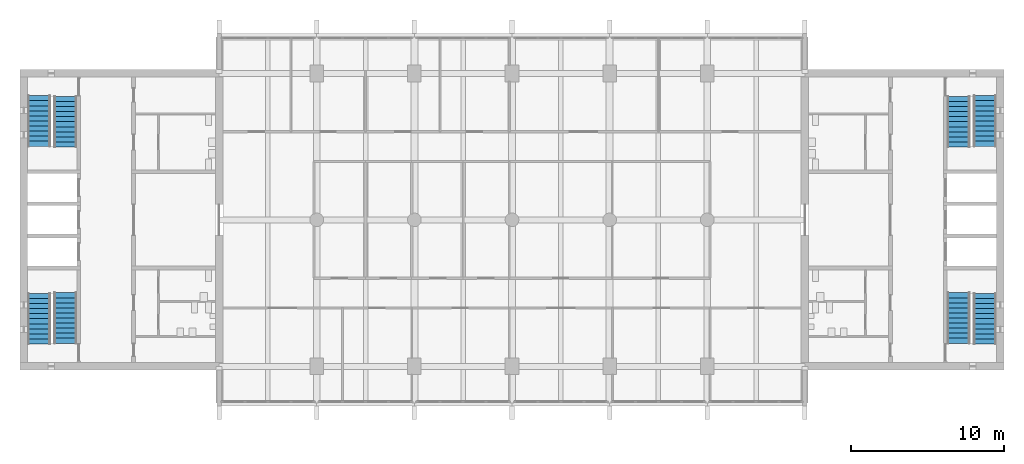
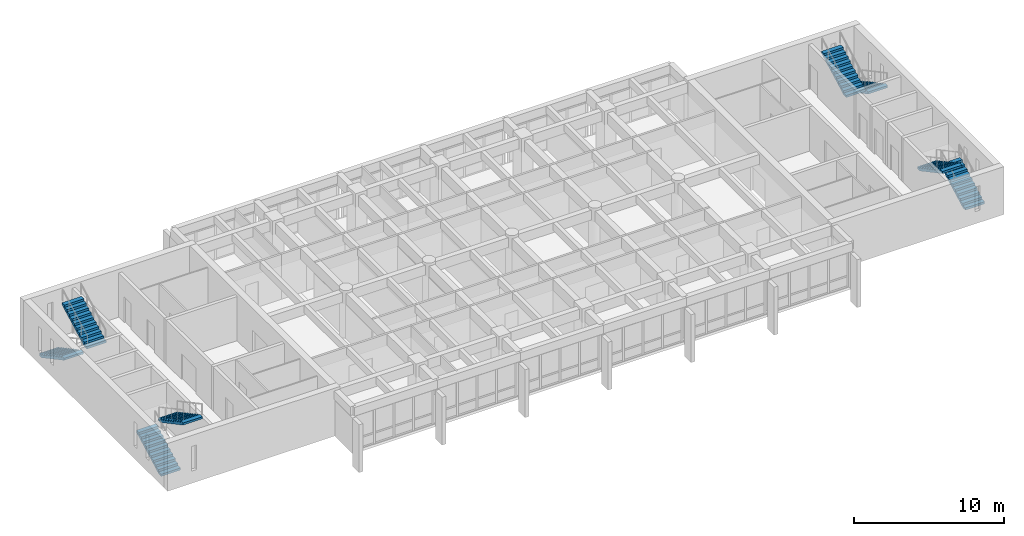
# One storey, part 13 of 15: 8 stair flights, 4 elements without a shape of their own.
"""IFC4 building model written with IfcOpenShell, lengths in metres."""

import ifcopenshell
import ifcopenshell.guid

model = None  # the IFC model being written
_history = None  # IfcOwnerHistory: only IFC2X3 demands one
_inside = {}  # id of a spatial element -> (the spatial element, [elements in it])
_under = {}  # id of a project, library or spatial element -> (it, [spatial elements below it])
_declared = {}  # id of a project -> (the project, [libraries it declares])
_typed = {}  # id of a type object -> (the type object, [elements of that type])
_made_of = {}  # id of a material, layer set ... -> (it, [elements and type objects made of it])


def new_model(schema):
    """Start an empty IFC model of exactly this schema.

    Asked for "IFC4X3", IfcOpenShell would pick the latest addendum, in which some entities
    have other attributes; the version numbers below select the first issue.
    IFC2X3 requires an IfcOwnerHistory on every rooted entity: one is made here for all.
    """
    global model, _history
    if schema == "IFC4X3":
        model = ifcopenshell.file(schema_version=(4, 3, 0, 0))
    else:
        model = ifcopenshell.file(schema=schema)
    _inside.clear()
    _under.clear()
    _declared.clear()
    _typed.clear()
    _made_of.clear()
    _history = None
    if model.schema == "IFC2X3":
        org = make("IfcOrganization", Name="unknown")
        user = make(
            "IfcPersonAndOrganization",
            ThePerson=make("IfcPerson", FamilyName="unknown"),
            TheOrganization=org,
        )
        app = make(
            "IfcApplication",
            ApplicationDeveloper=org,
            Version="unknown",
            ApplicationFullName="unknown",
            ApplicationIdentifier="unknown",
        )
        _history = make(
            "IfcOwnerHistory",
            OwningUser=user,
            OwningApplication=app,
            ChangeAction="ADDED",
            CreationDate=0,
        )
    return model


def make(cls, **values):
    """One entity of the class cls with the attributes given. An attribute that is None is left unset."""
    return model.create_entity(
        cls, **{name: value for name, value in values.items() if value is not None}
    )


def rooted(cls, **values):
    """An entity with a GlobalId (a new one), such as an element, a storey or a relation."""
    return make(cls, GlobalId=ifcopenshell.guid.new(), OwnerHistory=_history, **values)


def si_unit(unit_type, name, prefix=None):
    """IfcSIUnit, for example si_unit("LENGTHUNIT", "METRE", prefix="MILLI")."""
    return make("IfcSIUnit", UnitType=unit_type, Prefix=prefix, Name=name)


def assignment(units):
    """IfcUnitAssignment: the units of a project."""
    return None if units is None else make("IfcUnitAssignment", Units=units)


def point(xyz):
    """IfcCartesianPoint."""
    return None if xyz is None else make("IfcCartesianPoint", Coordinates=xyz)


def direction(xyz):
    """IfcDirection."""
    return None if xyz is None else make("IfcDirection", DirectionRatios=xyz)


def frame(location, z_axis=None, x_axis=None):
    """IfcAxis2Placement3D, a coordinate frame: its origin and axes. An axis left out is left unset."""
    return make(
        "IfcAxis2Placement3D",
        Location=point(location),
        Axis=direction(z_axis),
        RefDirection=direction(x_axis),
    )


def origin():
    """The frame at (0, 0, 0) with its axes left unset."""
    return frame((0.0, 0.0, 0.0))


def place(relative_to, where):
    """IfcLocalPlacement: puts the frame where relative to a parent placement (None: the world)."""
    return make(
        "IfcLocalPlacement", PlacementRelTo=relative_to, RelativePlacement=where
    )


def context(
    kind, dimensions, precision=None, world=None, true_north=None, identifier=None
):
    """IfcGeometricRepresentationContext, for example the 3D "Model" context."""
    return make(
        "IfcGeometricRepresentationContext",
        ContextIdentifier=identifier,
        ContextType=kind,
        CoordinateSpaceDimension=dimensions,
        Precision=precision,
        WorldCoordinateSystem=world,
        TrueNorth=true_north,
    )


def subcontext(parent, identifier, kind, view, scale=None):
    """IfcGeometricRepresentationSubContext, for example "Body" below "Model"."""
    return make(
        "IfcGeometricRepresentationSubContext",
        ContextIdentifier=identifier,
        ContextType=kind,
        ParentContext=parent,
        TargetScale=scale,
        TargetView=view,
    )


def project(units=None, contexts=None):
    """IfcProject with its units and contexts."""
    return rooted(
        "IfcProject",
        Name="project",
        RepresentationContexts=contexts,
        UnitsInContext=assignment(units),
    )


def spatial(cls, under=None, at=None, **own):
    """A site, building, storey or space (cls), placed at a placement, below another one or the project."""
    s = rooted(cls, ObjectPlacement=at, **own)
    if under is not None:
        _under.setdefault(under.id(), (under, []))[1].append(s)
    return s


def polyline(points):
    """IfcPolyline through the points."""
    return make("IfcPolyline", Points=[point(p) for p in points])


def outline(outer, holes=None, kind="AREA"):
    """IfcArbitraryClosedProfileDef: a profile drawn as a closed curve; with holes, ...WithVoids."""
    if holes is None:
        return make("IfcArbitraryClosedProfileDef", ProfileType=kind, OuterCurve=outer)
    return make(
        "IfcArbitraryProfileDefWithVoids",
        ProfileType=kind,
        OuterCurve=outer,
        InnerCurves=holes,
    )


def extrude(swept, where, along, depth):
    """IfcExtrudedAreaSolid: the profile swept, set in the frame where, extruded along a direction by depth."""
    return make(
        "IfcExtrudedAreaSolid",
        SweptArea=swept,
        Position=where,
        ExtrudedDirection=direction(along),
        Depth=depth,
    )


def shape(context_of_items, identifier, shape_type, items):
    """IfcShapeRepresentation: the items that make up one representation, for example the "Body"."""
    return make(
        "IfcShapeRepresentation",
        ContextOfItems=context_of_items,
        RepresentationIdentifier=identifier,
        RepresentationType=shape_type,
        Items=items,
    )


def material(Name=None, Category=None):
    """IfcMaterial."""
    return make("IfcMaterial", Name=Name, Category=Category)


def made_of(thing, what):
    """Note that an element or type object is made of a material, layer set ...; save() writes the relation."""
    if what is not None:
        _made_of.setdefault(what.id(), (what, []))[1].append(thing)
    return thing


def type_object(cls, material=None, **own):
    """A type object (cls), such as IfcWallType, which elements share."""
    return made_of(rooted(cls, **own), material)


def element(
    cls,
    number,
    at=None,
    inside=None,
    cuts=None,
    type_object=None,
    material=None,
    context=None,
    identifier="Body",
    shape_type=None,
    held_by="IfcProductDefinitionShape",
    body=None,
    shapes=None,
    **own,
):
    """One element of the class cls, such as IfcWall. Its Tag is "e" and its number.

    at: its placement. inside: the storey or other place that contains it. cuts: it is an
    opening in that element (IfcRelVoidsElement). A single representation is given by context,
    identifier, shape_type and body (its items); several are given by shapes. held_by: the class
    of the entity that holds the representations. save() writes the other relations.
    """
    e = rooted(cls, Tag="e%d" % number, ObjectPlacement=at, **own)
    if body is not None:
        shapes = [shape(context, identifier, shape_type, body)]
    if shapes is not None:
        e.Representation = make(held_by, Representations=shapes)
    if inside is not None:
        _inside.setdefault(inside.id(), (inside, []))[1].append(e)
    if cuts is not None:
        rooted(
            "IfcRelVoidsElement", RelatingBuildingElement=cuts, RelatedOpeningElement=e
        )
    if type_object is not None:
        _typed.setdefault(type_object.id(), (type_object, []))[1].append(e)
    return made_of(e, material)


def aggregate(whole, parts):
    """IfcRelAggregates: a whole, such as a stair, and the parts it consists of."""
    return rooted("IfcRelAggregates", RelatingObject=whole, RelatedObjects=parts)


def save(model, path):
    """Write the relations noted so far, then the file.

    IfcRelAggregates (storeys below a building ...), IfcRelContainedInSpatialStructure (elements
    in a storey), IfcRelDefinesByType, IfcRelAssociatesMaterial and IfcRelDeclares: one each for
    every whole, place, type object, material and project.
    """
    for whole, parts in _under.values():
        aggregate(whole, parts)
    for where, things in _inside.values():
        rooted(
            "IfcRelContainedInSpatialStructure",
            RelatedElements=things,
            RelatingStructure=where,
        )
    for kind, things in _typed.values():
        rooted("IfcRelDefinesByType", RelatedObjects=things, RelatingType=kind)
    for what, things in _made_of.values():
        rooted("IfcRelAssociatesMaterial", RelatedObjects=things, RelatingMaterial=what)
    for by, libraries in _declared.values():
        rooted("IfcRelDeclares", RelatingContext=by, RelatedDefinitions=libraries)
    model.write(path)


model = new_model("IFC4")

# Units and contexts
model_context = context("Model", 3, precision=1e-05, world=origin(), true_north=direction((0.0, 1.0)))
body_context = subcontext(model_context, "Body", "Model", "MODEL_VIEW")
ifc_project = project(units=[si_unit("LENGTHUNIT", "METRE"), si_unit("AREAUNIT", "SQUARE_METRE"), si_unit("VOLUMEUNIT", "CUBIC_METRE"), si_unit("PLANEANGLEUNIT", "RADIAN"), si_unit("MASSUNIT", "GRAM", prefix="KILO")], contexts=[model_context])

# Site, building, storey
site_placement = place(None, origin())
site = spatial("IfcSite", under=ifc_project, at=site_placement, CompositionType="ELEMENT")
building_placement = place(site_placement, origin())
building = spatial("IfcBuilding", under=site, at=building_placement, Name="Fogon Plaza Fire Station and Headquarters Tower", CompositionType="ELEMENT")
storey_placement = place(building_placement, frame((0.0, 0.0, 48.300048828125)))
storey = spatial("IfcBuildingStorey", under=building, at=storey_placement, Name="L12", CompositionType="ELEMENT", Elevation=48.300048828125)

# Stair, stair flights
ifc_material_1 = material(Name="Concrete C40", Category="concrete")
stair_type = type_object("IfcStairType", Name="Exit Stair Two Flights", PredefinedType="TWO_STRAIGHT_RUN_STAIR", material=ifc_material_1)
stair_1_placement = place(storey_placement, origin())
stair_1 = element("IfcStair", 1, at=stair_1_placement, inside=storey, type_object=stair_type, Name="Stair ST1", PredefinedType="TWO_STRAIGHT_RUN_STAIR")
ifc_material_2 = material(Name="Concrete C40", Category="concrete")
stair_flight_type = type_object("IfcStairFlightType", Name="Stair Flight 11 Risers", PredefinedType="STRAIGHT", material=ifc_material_2)
stair_flight_1_placement = place(storey_placement, frame((13.800048828125, 35.060791015625, 0.0), z_axis=(0.0, 0.0, 1.0), x_axis=(0.0, 1.0, 0.0)))
stair_flight_1 = element("IfcStairFlight", 2, at=stair_flight_1_placement, type_object=stair_flight_type, Name="ST1 flight F27", NumberOfRisers=11, NumberOfTreads=10, PredefinedType="STRAIGHT", RiserHeight=0.177272727, TreadLength=0.3315, context=body_context, shape_type="SweptSolid", body=[
    extrude(outline(polyline([(0.0, 0.0), (0.0, 0.17724609375), (0.33154296875, 0.17724609375), (0.33154296875, 0.3544921875), (0.6630859375, 0.3544921875), (0.6630859375, 0.53173828125), (0.994384765625, 0.53173828125), (0.994384765625, 0.708984375), (1.325927734375, 0.708984375), (1.325927734375, 0.886474609375), (1.657470703125, 0.886474609375), (1.657470703125, 1.063720703125), (1.989013671875, 1.063720703125), (1.989013671875, 1.240966796875), (2.320556640625, 1.240966796875), (2.320556640625, 1.418212890625), (2.652099609375, 1.418212890625), (2.652099609375, 1.595458984375), (2.9833984375, 1.595458984375), (2.9833984375, 1.772705078125), (3.31494140625, 1.772705078125), (3.31494140625, 1.949951171875), (3.31494140625, 1.602783203125), (0.31787109375, 0.0), (0.0, 0.0)])), frame((0.0, 0.75, 0.0), z_axis=(0.0, -1.0, 0.0), x_axis=(1.0, 0.0, 0.0)), (0.0, 0.0, 1.0), 1.5),
])
stair_flight_2_placement = place(storey_placement, frame((15.52490234375, 38.42431640625, 1.949951171875), z_axis=(0.0, 0.0, 1.0), x_axis=(0.0, -1.0, 0.0)))
stair_flight_2 = element("IfcStairFlight", 3, at=stair_flight_2_placement, type_object=stair_flight_type, Name="ST1 flight F28", NumberOfRisers=11, NumberOfTreads=10, PredefinedType="STRAIGHT", RiserHeight=0.177272727, TreadLength=0.3315, context=body_context, shape_type="SweptSolid", body=[
    extrude(outline(polyline([(0.0, 0.0), (0.0, 0.17724609375), (0.33154296875, 0.17724609375), (0.33154296875, 0.3544921875), (0.6630859375, 0.3544921875), (0.6630859375, 0.53173828125), (0.994384765625, 0.53173828125), (0.994384765625, 0.708984375), (1.325927734375, 0.708984375), (1.325927734375, 0.886474609375), (1.657470703125, 0.886474609375), (1.657470703125, 1.063720703125), (1.989013671875, 1.063720703125), (1.989013671875, 1.240966796875), (2.320556640625, 1.240966796875), (2.320556640625, 1.418212890625), (2.652099609375, 1.418212890625), (2.652099609375, 1.595458984375), (2.9833984375, 1.595458984375), (2.9833984375, 1.772705078125), (3.31494140625, 1.772705078125), (3.31494140625, 1.949951171875), (3.31494140625, 1.602783203125), (0.31787109375, 0.0), (0.0, 0.0)])), frame((0.0, 0.75, 0.0), z_axis=(0.0, -1.0, 0.0), x_axis=(1.0, 0.0, 0.0)), (0.0, 0.0, 1.0), 1.5),
])
aggregate(stair_1, [stair_flight_1, stair_flight_2])

stair_2_placement = place(storey_placement, origin())
stair_2 = element("IfcStair", 4, at=stair_2_placement, inside=storey, type_object=stair_type, Name="Stair ST2", PredefinedType="TWO_STRAIGHT_RUN_STAIR")
stair_flight_3_placement = place(storey_placement, frame((13.800048828125, 51.33935546875, 0.0), z_axis=(0.0, 0.0, 1.0), x_axis=(0.0, -1.0, 0.0)))
stair_flight_3 = element("IfcStairFlight", 5, at=stair_flight_3_placement, type_object=stair_flight_type, Name="ST2 flight F27", NumberOfRisers=11, NumberOfTreads=10, PredefinedType="STRAIGHT", RiserHeight=0.177272727, TreadLength=0.3315, context=body_context, shape_type="SweptSolid", body=[
    extrude(outline(polyline([(0.0, 0.0), (0.0, 0.17724609375), (0.33154296875, 0.17724609375), (0.33154296875, 0.3544921875), (0.6630859375, 0.3544921875), (0.6630859375, 0.53173828125), (0.994384765625, 0.53173828125), (0.994384765625, 0.708984375), (1.325927734375, 0.708984375), (1.325927734375, 0.886474609375), (1.657470703125, 0.886474609375), (1.657470703125, 1.063720703125), (1.989013671875, 1.063720703125), (1.989013671875, 1.240966796875), (2.320556640625, 1.240966796875), (2.320556640625, 1.418212890625), (2.652099609375, 1.418212890625), (2.652099609375, 1.595458984375), (2.9833984375, 1.595458984375), (2.9833984375, 1.772705078125), (3.31494140625, 1.772705078125), (3.31494140625, 1.949951171875), (3.31494140625, 1.602783203125), (0.31787109375, 0.0), (0.0, 0.0)])), frame((0.0, 0.75, 0.0), z_axis=(0.0, -1.0, 0.0), x_axis=(1.0, 0.0, 0.0)), (0.0, 0.0, 1.0), 1.5),
])
stair_flight_4_placement = place(storey_placement, frame((15.52490234375, 47.975830078125, 1.949951171875), z_axis=(0.0, 0.0, 1.0), x_axis=(0.0, 1.0, 0.0)))
stair_flight_4 = element("IfcStairFlight", 6, at=stair_flight_4_placement, type_object=stair_flight_type, Name="ST2 flight F28", NumberOfRisers=11, NumberOfTreads=10, PredefinedType="STRAIGHT", RiserHeight=0.177272727, TreadLength=0.3315, context=body_context, shape_type="SweptSolid", body=[
    extrude(outline(polyline([(0.0, 0.0), (0.0, 0.17724609375), (0.33154296875, 0.17724609375), (0.33154296875, 0.3544921875), (0.6630859375, 0.3544921875), (0.6630859375, 0.53173828125), (0.994384765625, 0.53173828125), (0.994384765625, 0.708984375), (1.325927734375, 0.708984375), (1.325927734375, 0.886474609375), (1.657470703125, 0.886474609375), (1.657470703125, 1.063720703125), (1.989013671875, 1.063720703125), (1.989013671875, 1.240966796875), (2.320556640625, 1.240966796875), (2.320556640625, 1.418212890625), (2.652099609375, 1.418212890625), (2.652099609375, 1.595458984375), (2.9833984375, 1.595458984375), (2.9833984375, 1.772705078125), (3.31494140625, 1.772705078125), (3.31494140625, 1.949951171875), (3.31494140625, 1.602783203125), (0.31787109375, 0.0), (0.0, 0.0)])), frame((0.0, 0.75, 0.0), z_axis=(0.0, -1.0, 0.0), x_axis=(1.0, 0.0, 0.0)), (0.0, 0.0, 1.0), 1.5),
])
aggregate(stair_2, [stair_flight_3, stair_flight_4])

stair_3_placement = place(storey_placement, origin())
stair_3 = element("IfcStair", 7, at=stair_3_placement, inside=storey, type_object=stair_type, Name="Stair ST3", PredefinedType="TWO_STRAIGHT_RUN_STAIR")
stair_flight_5_placement = place(storey_placement, frame((75.800048828125, 35.060791015625, 0.0), z_axis=(0.0, 0.0, 1.0), x_axis=(0.0, 1.0, 0.0)))
stair_flight_5 = element("IfcStairFlight", 8, at=stair_flight_5_placement, type_object=stair_flight_type, Name="ST3 flight F27", NumberOfRisers=11, NumberOfTreads=10, PredefinedType="STRAIGHT", RiserHeight=0.177272727, TreadLength=0.3315, context=body_context, shape_type="SweptSolid", body=[
    extrude(outline(polyline([(0.0, 0.0), (0.0, 0.17724609375), (0.33154296875, 0.17724609375), (0.33154296875, 0.3544921875), (0.6630859375, 0.3544921875), (0.6630859375, 0.53173828125), (0.994384765625, 0.53173828125), (0.994384765625, 0.708984375), (1.325927734375, 0.708984375), (1.325927734375, 0.886474609375), (1.657470703125, 0.886474609375), (1.657470703125, 1.063720703125), (1.989013671875, 1.063720703125), (1.989013671875, 1.240966796875), (2.320556640625, 1.240966796875), (2.320556640625, 1.418212890625), (2.652099609375, 1.418212890625), (2.652099609375, 1.595458984375), (2.9833984375, 1.595458984375), (2.9833984375, 1.772705078125), (3.31494140625, 1.772705078125), (3.31494140625, 1.949951171875), (3.31494140625, 1.602783203125), (0.31787109375, 0.0), (0.0, 0.0)])), frame((0.0, 0.75, 0.0), z_axis=(0.0, -1.0, 0.0), x_axis=(1.0, 0.0, 0.0)), (0.0, 0.0, 1.0), 1.5),
])
stair_flight_6_placement = place(storey_placement, frame((74.074951171875, 38.42431640625, 1.949951171875), z_axis=(0.0, 0.0, 1.0), x_axis=(0.0, -1.0, 0.0)))
stair_flight_6 = element("IfcStairFlight", 9, at=stair_flight_6_placement, type_object=stair_flight_type, Name="ST3 flight F28", NumberOfRisers=11, NumberOfTreads=10, PredefinedType="STRAIGHT", RiserHeight=0.177272727, TreadLength=0.3315, context=body_context, shape_type="SweptSolid", body=[
    extrude(outline(polyline([(0.0, 0.0), (0.0, 0.17724609375), (0.33154296875, 0.17724609375), (0.33154296875, 0.3544921875), (0.6630859375, 0.3544921875), (0.6630859375, 0.53173828125), (0.994384765625, 0.53173828125), (0.994384765625, 0.708984375), (1.325927734375, 0.708984375), (1.325927734375, 0.886474609375), (1.657470703125, 0.886474609375), (1.657470703125, 1.063720703125), (1.989013671875, 1.063720703125), (1.989013671875, 1.240966796875), (2.320556640625, 1.240966796875), (2.320556640625, 1.418212890625), (2.652099609375, 1.418212890625), (2.652099609375, 1.595458984375), (2.9833984375, 1.595458984375), (2.9833984375, 1.772705078125), (3.31494140625, 1.772705078125), (3.31494140625, 1.949951171875), (3.31494140625, 1.602783203125), (0.31787109375, 0.0), (0.0, 0.0)])), frame((0.0, 0.75, 0.0), z_axis=(0.0, -1.0, 0.0), x_axis=(1.0, 0.0, 0.0)), (0.0, 0.0, 1.0), 1.5),
])
aggregate(stair_3, [stair_flight_5, stair_flight_6])

stair_4_placement = place(storey_placement, origin())
stair_4 = element("IfcStair", 10, at=stair_4_placement, inside=storey, type_object=stair_type, Name="Stair ST4", PredefinedType="TWO_STRAIGHT_RUN_STAIR")
stair_flight_7_placement = place(storey_placement, frame((75.800048828125, 51.33935546875, 0.0), z_axis=(0.0, 0.0, 1.0), x_axis=(0.0, -1.0, 0.0)))
stair_flight_7 = element("IfcStairFlight", 11, at=stair_flight_7_placement, type_object=stair_flight_type, Name="ST4 flight F27", NumberOfRisers=11, NumberOfTreads=10, PredefinedType="STRAIGHT", RiserHeight=0.177272727, TreadLength=0.3315, context=body_context, shape_type="SweptSolid", body=[
    extrude(outline(polyline([(0.0, 0.0), (0.0, 0.17724609375), (0.33154296875, 0.17724609375), (0.33154296875, 0.3544921875), (0.6630859375, 0.3544921875), (0.6630859375, 0.53173828125), (0.994384765625, 0.53173828125), (0.994384765625, 0.708984375), (1.325927734375, 0.708984375), (1.325927734375, 0.886474609375), (1.657470703125, 0.886474609375), (1.657470703125, 1.063720703125), (1.989013671875, 1.063720703125), (1.989013671875, 1.240966796875), (2.320556640625, 1.240966796875), (2.320556640625, 1.418212890625), (2.652099609375, 1.418212890625), (2.652099609375, 1.595458984375), (2.9833984375, 1.595458984375), (2.9833984375, 1.772705078125), (3.31494140625, 1.772705078125), (3.31494140625, 1.949951171875), (3.31494140625, 1.602783203125), (0.31787109375, 0.0), (0.0, 0.0)])), frame((0.0, 0.75, 0.0), z_axis=(0.0, -1.0, 0.0), x_axis=(1.0, 0.0, 0.0)), (0.0, 0.0, 1.0), 1.5),
])
stair_flight_8_placement = place(storey_placement, frame((74.074951171875, 47.975830078125, 1.949951171875), z_axis=(0.0, 0.0, 1.0), x_axis=(0.0, 1.0, 0.0)))
stair_flight_8 = element("IfcStairFlight", 12, at=stair_flight_8_placement, type_object=stair_flight_type, Name="ST4 flight F28", NumberOfRisers=11, NumberOfTreads=10, PredefinedType="STRAIGHT", RiserHeight=0.177272727, TreadLength=0.3315, context=body_context, shape_type="SweptSolid", body=[
    extrude(outline(polyline([(0.0, 0.0), (0.0, 0.17724609375), (0.33154296875, 0.17724609375), (0.33154296875, 0.3544921875), (0.6630859375, 0.3544921875), (0.6630859375, 0.53173828125), (0.994384765625, 0.53173828125), (0.994384765625, 0.708984375), (1.325927734375, 0.708984375), (1.325927734375, 0.886474609375), (1.657470703125, 0.886474609375), (1.657470703125, 1.063720703125), (1.989013671875, 1.063720703125), (1.989013671875, 1.240966796875), (2.320556640625, 1.240966796875), (2.320556640625, 1.418212890625), (2.652099609375, 1.418212890625), (2.652099609375, 1.595458984375), (2.9833984375, 1.595458984375), (2.9833984375, 1.772705078125), (3.31494140625, 1.772705078125), (3.31494140625, 1.949951171875), (3.31494140625, 1.602783203125), (0.31787109375, 0.0), (0.0, 0.0)])), frame((0.0, 0.75, 0.0), z_axis=(0.0, -1.0, 0.0), x_axis=(1.0, 0.0, 0.0)), (0.0, 0.0, 1.0), 1.5),
])
aggregate(stair_4, [stair_flight_7, stair_flight_8])

save(model, "model.ifc")
